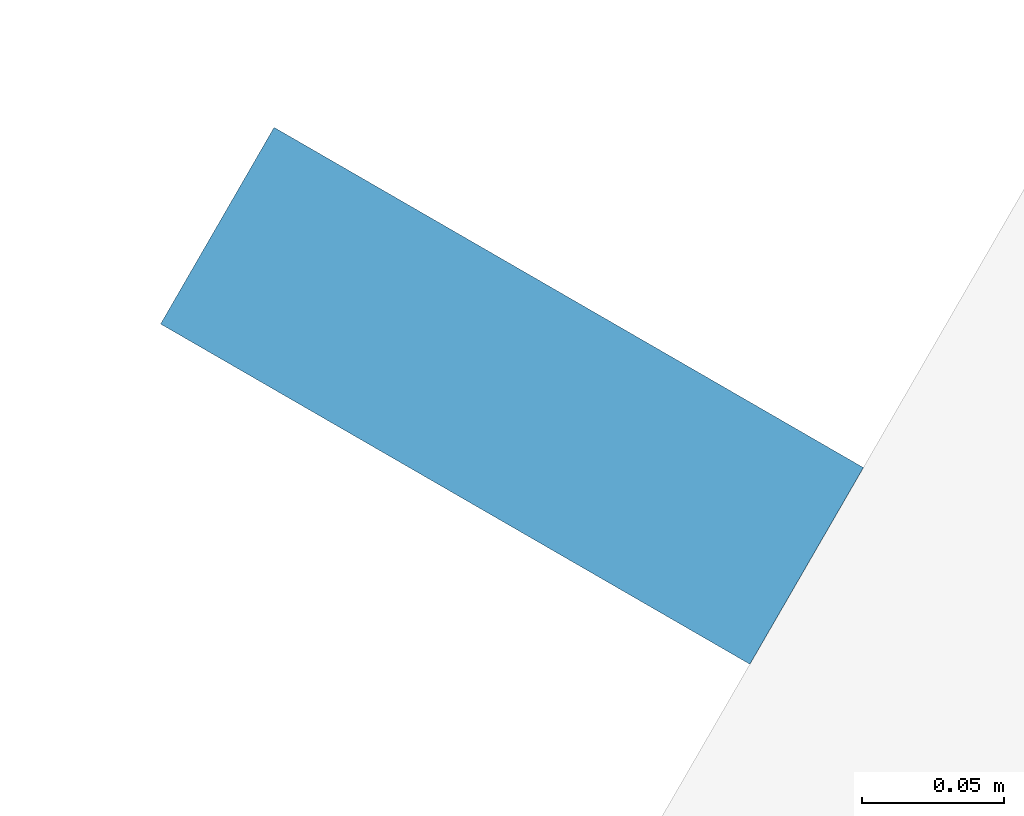
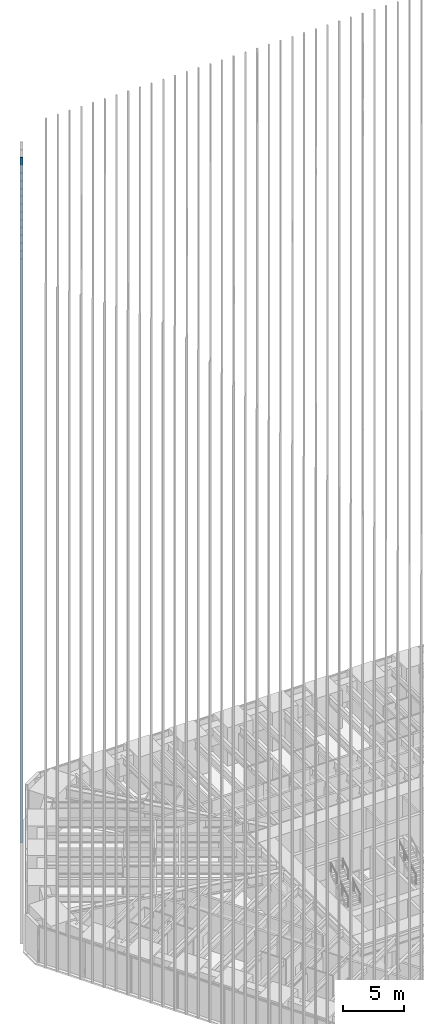
# One storey, part 156 of 256: 1 member, 1 element without a shape of its own.
"""IFC4 building model written with IfcOpenShell, lengths in metres."""

from ifc_helpers import new_model, si_unit, direction, frame, origin, origin_2d, place, context, subcontext, project, spatial, rectangle, extrude, material, material_profile, profile_set, type_object, element, aggregate, save


model = new_model("IFC4")

# Units and contexts
model_context = context("Model", 3, precision=1e-05, world=origin(), true_north=direction((0.0, 1.0)))
body_context = subcontext(model_context, "Body", "Model", "MODEL_VIEW")
ifc_project = project(units=[si_unit("LENGTHUNIT", "METRE"), si_unit("AREAUNIT", "SQUARE_METRE"), si_unit("VOLUMEUNIT", "CUBIC_METRE"), si_unit("PLANEANGLEUNIT", "RADIAN"), si_unit("MASSUNIT", "GRAM", prefix="KILO")], contexts=[model_context])

# Site, building, storey
site_placement = place(None, origin())
site = spatial("IfcSite", under=ifc_project, at=site_placement, CompositionType="ELEMENT")
building_placement = place(site_placement, origin())
building = spatial("IfcBuilding", under=site, at=building_placement, Name="Sandreach Pilgrim Tower", CompositionType="ELEMENT")
storey_placement = place(building_placement, frame((0.0, 0.0, 23.0)))
storey = spatial("IfcBuildingStorey", under=building, at=storey_placement, Name="L04", CompositionType="ELEMENT", Elevation=23.0)

# Curtain wall, member
ifc_material_1 = material(Name="Aluminium framed curtain wall", Category="aluminium")
curtain_wall_type = type_object("IfcCurtainWallType", Name="Hostel tower curtain wall", PredefinedType="NOTDEFINED", material=ifc_material_1)
curtain_wall_placement = place(storey_placement, origin())
curtain_wall = element("IfcCurtainWall", 1, at=curtain_wall_placement, inside=storey, type_object=curtain_wall_type, Name="CW-1 L04 NW", PredefinedType="NOTDEFINED")
ifc_material_2 = material(Name="Extruded terracotta on aluminium core", Category="masonry")
ifc_material_profile = material_profile(ifc_material_2, rectangle(XDim=0.080078125, YDim=0.239990234375, at=origin_2d()), Name="TBW 80X240")
ifc_profile_set = profile_set([ifc_material_profile], Name="Extruded terracotta on aluminium core")
member_type = type_object("IfcMemberType", Name="Terracotta baguette west", PredefinedType="USERDEFINED", material=ifc_profile_set)
member_placement = place(storey_placement, frame((-23.30810546875, 20.490966796875, 0.0), z_axis=(0.0, 0.0, 1.0), x_axis=(0.5, 0.866025403784, 0.0)))
member = element("IfcMember", 2, at=member_placement, type_object=member_type, Name="Baguette Z1 NW14", ObjectType="BAGUETTE", PredefinedType="USERDEFINED", context=body_context, shape_type="SweptSolid", body=[
    extrude(rectangle(XDim=0.080078125, YDim=0.239990234375, at=origin_2d()), origin(), (0.0, 0.0, 1.0), 68.239990234375),
])
aggregate(curtain_wall, [member])

save(model, "model.ifc")
